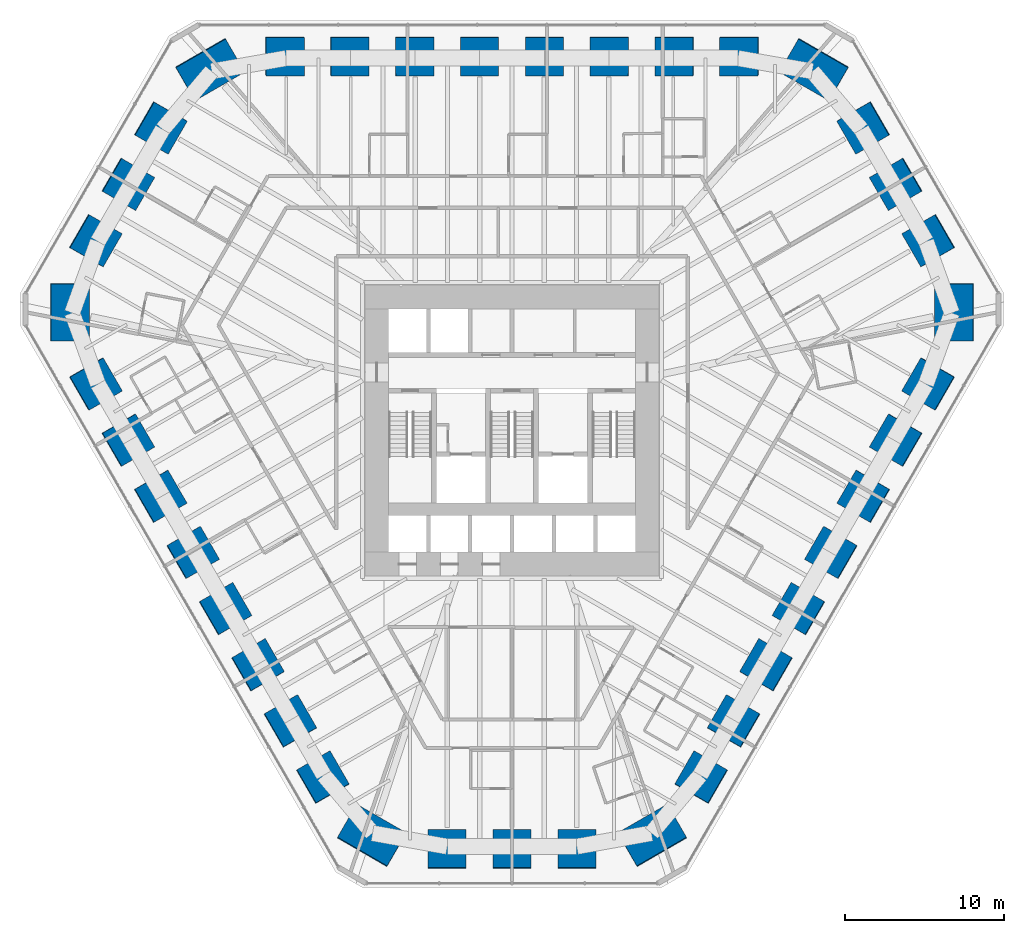
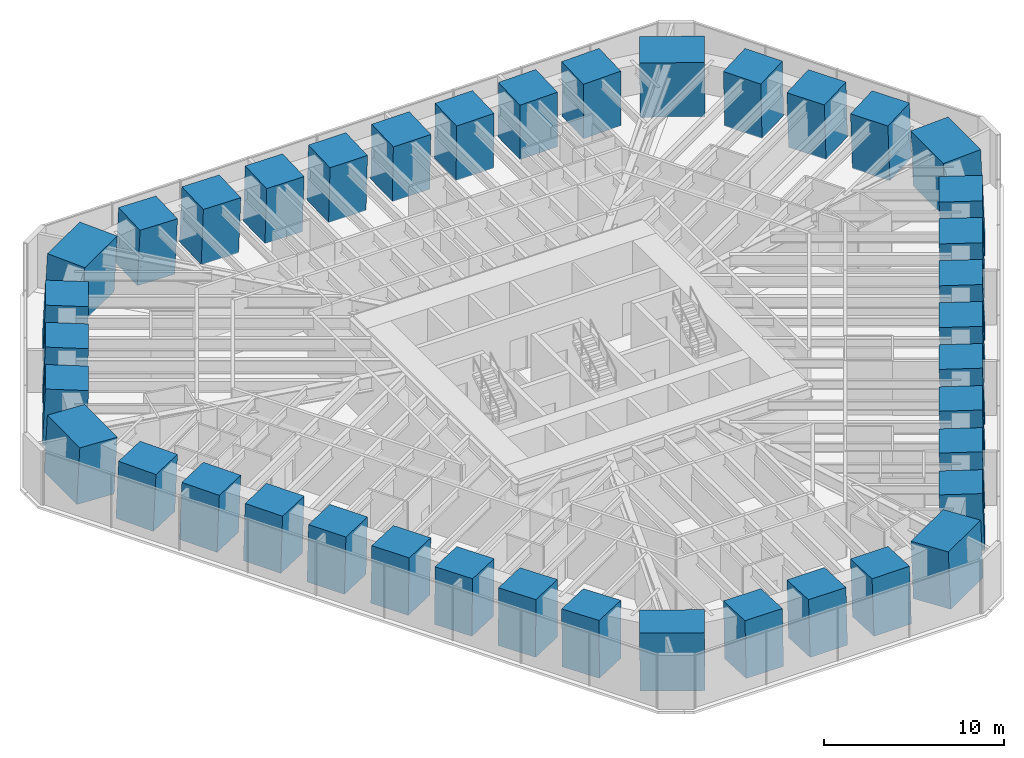
# One storey, part 1 of 17: 39 columns.
"""IFC4 building model written with IfcOpenShell, lengths in metres."""

import ifcopenshell
import ifcopenshell.guid

model = None  # the IFC model being written
_history = None  # IfcOwnerHistory: only IFC2X3 demands one
_inside = {}  # id of a spatial element -> (the spatial element, [elements in it])
_under = {}  # id of a project, library or spatial element -> (it, [spatial elements below it])
_declared = {}  # id of a project -> (the project, [libraries it declares])
_typed = {}  # id of a type object -> (the type object, [elements of that type])
_made_of = {}  # id of a material, layer set ... -> (it, [elements and type objects made of it])


def new_model(schema):
    """Start an empty IFC model of exactly this schema.

    Asked for "IFC4X3", IfcOpenShell would pick the latest addendum, in which some entities
    have other attributes; the version numbers below select the first issue.
    IFC2X3 requires an IfcOwnerHistory on every rooted entity: one is made here for all.
    """
    global model, _history
    if schema == "IFC4X3":
        model = ifcopenshell.file(schema_version=(4, 3, 0, 0))
    else:
        model = ifcopenshell.file(schema=schema)
    _inside.clear()
    _under.clear()
    _declared.clear()
    _typed.clear()
    _made_of.clear()
    _history = None
    if model.schema == "IFC2X3":
        org = make("IfcOrganization", Name="unknown")
        user = make(
            "IfcPersonAndOrganization",
            ThePerson=make("IfcPerson", FamilyName="unknown"),
            TheOrganization=org,
        )
        app = make(
            "IfcApplication",
            ApplicationDeveloper=org,
            Version="unknown",
            ApplicationFullName="unknown",
            ApplicationIdentifier="unknown",
        )
        _history = make(
            "IfcOwnerHistory",
            OwningUser=user,
            OwningApplication=app,
            ChangeAction="ADDED",
            CreationDate=0,
        )
    return model


def make(cls, **values):
    """One entity of the class cls with the attributes given. An attribute that is None is left unset."""
    return model.create_entity(
        cls, **{name: value for name, value in values.items() if value is not None}
    )


def rooted(cls, **values):
    """An entity with a GlobalId (a new one), such as an element, a storey or a relation."""
    return make(cls, GlobalId=ifcopenshell.guid.new(), OwnerHistory=_history, **values)


def si_unit(unit_type, name, prefix=None):
    """IfcSIUnit, for example si_unit("LENGTHUNIT", "METRE", prefix="MILLI")."""
    return make("IfcSIUnit", UnitType=unit_type, Prefix=prefix, Name=name)


def assignment(units):
    """IfcUnitAssignment: the units of a project."""
    return None if units is None else make("IfcUnitAssignment", Units=units)


def point(xyz):
    """IfcCartesianPoint."""
    return None if xyz is None else make("IfcCartesianPoint", Coordinates=xyz)


def direction(xyz):
    """IfcDirection."""
    return None if xyz is None else make("IfcDirection", DirectionRatios=xyz)


def frame(location, z_axis=None, x_axis=None):
    """IfcAxis2Placement3D, a coordinate frame: its origin and axes. An axis left out is left unset."""
    return make(
        "IfcAxis2Placement3D",
        Location=point(location),
        Axis=direction(z_axis),
        RefDirection=direction(x_axis),
    )


def frame_2d(location, x_axis=None):
    """IfcAxis2Placement2D, a coordinate frame in the plane: its origin and x axis."""
    return make(
        "IfcAxis2Placement2D", Location=point(location), RefDirection=direction(x_axis)
    )


def origin():
    """The frame at (0, 0, 0) with its axes left unset."""
    return frame((0.0, 0.0, 0.0))


def origin_2d():
    """The frame at (0, 0) in the plane with its x axis left unset."""
    return frame_2d((0.0, 0.0))


def place(relative_to, where):
    """IfcLocalPlacement: puts the frame where relative to a parent placement (None: the world)."""
    return make(
        "IfcLocalPlacement", PlacementRelTo=relative_to, RelativePlacement=where
    )


def context(
    kind, dimensions, precision=None, world=None, true_north=None, identifier=None
):
    """IfcGeometricRepresentationContext, for example the 3D "Model" context."""
    return make(
        "IfcGeometricRepresentationContext",
        ContextIdentifier=identifier,
        ContextType=kind,
        CoordinateSpaceDimension=dimensions,
        Precision=precision,
        WorldCoordinateSystem=world,
        TrueNorth=true_north,
    )


def subcontext(parent, identifier, kind, view, scale=None):
    """IfcGeometricRepresentationSubContext, for example "Body" below "Model"."""
    return make(
        "IfcGeometricRepresentationSubContext",
        ContextIdentifier=identifier,
        ContextType=kind,
        ParentContext=parent,
        TargetScale=scale,
        TargetView=view,
    )


def project(units=None, contexts=None):
    """IfcProject with its units and contexts."""
    return rooted(
        "IfcProject",
        Name="project",
        RepresentationContexts=contexts,
        UnitsInContext=assignment(units),
    )


def spatial(cls, under=None, at=None, **own):
    """A site, building, storey or space (cls), placed at a placement, below another one or the project."""
    s = rooted(cls, ObjectPlacement=at, **own)
    if under is not None:
        _under.setdefault(under.id(), (under, []))[1].append(s)
    return s


def profile(cls, at=None, kind="AREA", **sizes):
    """A parametric profile (cls). Its sizes go by their IFC names, for example OverallWidth=200.0."""
    return make(cls, ProfileType=kind, Position=at, **sizes)


def rectangle(**sizes):
    """IfcRectangleProfileDef."""
    return profile("IfcRectangleProfileDef", **sizes)


def extrude(swept, where, along, depth):
    """IfcExtrudedAreaSolid: the profile swept, set in the frame where, extruded along a direction by depth."""
    return make(
        "IfcExtrudedAreaSolid",
        SweptArea=swept,
        Position=where,
        ExtrudedDirection=direction(along),
        Depth=depth,
    )


def shape(context_of_items, identifier, shape_type, items):
    """IfcShapeRepresentation: the items that make up one representation, for example the "Body"."""
    return make(
        "IfcShapeRepresentation",
        ContextOfItems=context_of_items,
        RepresentationIdentifier=identifier,
        RepresentationType=shape_type,
        Items=items,
    )


def material(Name=None, Category=None):
    """IfcMaterial."""
    return make("IfcMaterial", Name=Name, Category=Category)


def material_profile(
    of_material, cross_section, Name=None, Category=None, Priority=None
):
    """IfcMaterialProfile: a cross section and its material."""
    return make(
        "IfcMaterialProfile",
        Name=Name,
        Material=of_material,
        Profile=cross_section,
        Priority=Priority,
        Category=Category,
    )


def profile_set(profiles, Name=None, composite=None):
    """IfcMaterialProfileSet."""
    return make(
        "IfcMaterialProfileSet",
        Name=Name,
        MaterialProfiles=profiles,
        CompositeProfile=composite,
    )


def made_of(thing, what):
    """Note that an element or type object is made of a material, layer set ...; save() writes the relation."""
    if what is not None:
        _made_of.setdefault(what.id(), (what, []))[1].append(thing)
    return thing


def type_object(cls, material=None, **own):
    """A type object (cls), such as IfcWallType, which elements share."""
    return made_of(rooted(cls, **own), material)


def element(
    cls,
    number,
    at=None,
    inside=None,
    cuts=None,
    type_object=None,
    material=None,
    context=None,
    identifier="Body",
    shape_type=None,
    held_by="IfcProductDefinitionShape",
    body=None,
    shapes=None,
    **own,
):
    """One element of the class cls, such as IfcWall. Its Tag is "e" and its number.

    at: its placement. inside: the storey or other place that contains it. cuts: it is an
    opening in that element (IfcRelVoidsElement). A single representation is given by context,
    identifier, shape_type and body (its items); several are given by shapes. held_by: the class
    of the entity that holds the representations. save() writes the other relations.
    """
    e = rooted(cls, Tag="e%d" % number, ObjectPlacement=at, **own)
    if body is not None:
        shapes = [shape(context, identifier, shape_type, body)]
    if shapes is not None:
        e.Representation = make(held_by, Representations=shapes)
    if inside is not None:
        _inside.setdefault(inside.id(), (inside, []))[1].append(e)
    if cuts is not None:
        rooted(
            "IfcRelVoidsElement", RelatingBuildingElement=cuts, RelatedOpeningElement=e
        )
    if type_object is not None:
        _typed.setdefault(type_object.id(), (type_object, []))[1].append(e)
    return made_of(e, material)


def aggregate(whole, parts):
    """IfcRelAggregates: a whole, such as a stair, and the parts it consists of."""
    return rooted("IfcRelAggregates", RelatingObject=whole, RelatedObjects=parts)


def save(model, path):
    """Write the relations noted so far, then the file.

    IfcRelAggregates (storeys below a building ...), IfcRelContainedInSpatialStructure (elements
    in a storey), IfcRelDefinesByType, IfcRelAssociatesMaterial and IfcRelDeclares: one each for
    every whole, place, type object, material and project.
    """
    for whole, parts in _under.values():
        aggregate(whole, parts)
    for where, things in _inside.values():
        rooted(
            "IfcRelContainedInSpatialStructure",
            RelatedElements=things,
            RelatingStructure=where,
        )
    for kind, things in _typed.values():
        rooted("IfcRelDefinesByType", RelatedObjects=things, RelatingType=kind)
    for what, things in _made_of.values():
        rooted("IfcRelAssociatesMaterial", RelatedObjects=things, RelatingMaterial=what)
    for by, libraries in _declared.values():
        rooted("IfcRelDeclares", RelatingContext=by, RelatedDefinitions=libraries)
    model.write(path)


model = new_model("IFC4")

# Units and contexts
model_context = context("Model", 3, precision=1e-05, world=origin(), true_north=direction((0.0, 1.0)))
body_context = subcontext(model_context, "Body", "Model", "MODEL_VIEW")
ifc_project = project(units=[si_unit("LENGTHUNIT", "METRE"), si_unit("AREAUNIT", "SQUARE_METRE"), si_unit("VOLUMEUNIT", "CUBIC_METRE"), si_unit("PLANEANGLEUNIT", "RADIAN"), si_unit("MASSUNIT", "GRAM", prefix="KILO")], contexts=[model_context])

# Site, building, storey
site_placement = place(None, origin())
site = spatial("IfcSite", under=ifc_project, at=site_placement, CompositionType="ELEMENT")
building_placement = place(site_placement, origin())
building = spatial("IfcBuilding", under=site, at=building_placement, Name="Sandreach Pilgrim Tower", CompositionType="ELEMENT")
storey_placement = place(building_placement, frame((0.0, 0.0, 76.199951171875)))
storey = spatial("IfcBuildingStorey", under=building, at=storey_placement, Name="L18", CompositionType="ELEMENT", Elevation=76.199951171875)

# Columns
ifc_material_1 = material(Name="Concrete 10000 psi", Category="concrete")
ifc_material_profile_1 = material_profile(ifc_material_1, rectangle(XDim=2.39990234375, YDim=2.39990234375, at=origin_2d()), Name="RC2400X2400")
ifc_profile_set_1 = profile_set([ifc_material_profile_1], Name="Concrete 10000 psi")
column_type_1 = type_object("IfcColumnType", Name="Raked tube column RC2400X2400", PredefinedType="COLUMN", material=ifc_profile_set_1)
column_1_placement = place(storey_placement, frame((-14.279541015625, 21.988037109375, 0.0), z_axis=(0.0238126955, -0.036713913278, 0.999042063231), x_axis=(0.001457588232, 0.999325647249, 0.036689592354)))
element("IfcColumn", 1, at=column_1_placement, inside=storey, type_object=column_type_1, Name="COL L18 T01", PredefinedType="COLUMN", context=body_context, shape_type="SweptSolid", body=[
    extrude(rectangle(XDim=2.39990234375, YDim=2.39990234375, at=origin_2d()), origin(), (0.0, 0.0, 1.0), 3.8037109375),
])
column_2_placement = place(storey_placement, frame((-10.199951171875, 21.98828125, 0.0), z_axis=(0.017075606118, -0.036718972555, 0.999179733947), x_axis=(-0.000324961522, 0.999325177797, 0.036729870958)))
element("IfcColumn", 2, at=column_2_placement, inside=storey, type_object=column_type_1, Name="COL L18 T02", PredefinedType="COLUMN", context=body_context, shape_type="SweptSolid", body=[
    extrude(rectangle(XDim=2.39990234375, YDim=2.39990234375, at=origin_2d()), origin(), (0.0, 0.0, 1.0), 3.80322265625),
])
for number, where, z_axis, x_axis, name in (
    (3, (-6.1201171875, 21.988525390625, 0.0), (0.010271997036, -0.036722389402, 0.999272711623), (-0.000916265128, 0.999324669192, 0.03673371752), "COL L18 T03"),
    (4, (-2.0400390625, 21.98876953125, 0.0), (0.003402766859, -0.03665999767, 0.999322003034), (8.1369393e-05, 0.999327795413, 0.036659933094), "COL L18 T04"),
    (5, (2.0400390625, 21.98876953125, 0.0), (-0.003402766859, -0.03665999767, 0.999322003034), (-8.1369393e-05, 0.999327795413, 0.036659933094), "COL L18 T05"),
    (6, (6.1201171875, 21.988525390625, 0.0), (-0.010271997036, -0.036722389402, 0.999272711623), (0.000916265128, 0.999324669192, 0.03673371752), "COL L18 T06"),
):
    element("IfcColumn", number, at=place(storey_placement, frame(where, z_axis=z_axis, x_axis=x_axis)), inside=storey, type_object=column_type_1, Name=name, PredefinedType="COLUMN", context=body_context, shape_type="SweptSolid", body=[
        extrude(rectangle(XDim=2.39990234375, YDim=2.39990234375, at=origin_2d()), origin(), (0.0, 0.0, 1.0), 3.802734375),
    ])
column_3_placement = place(storey_placement, frame((10.199951171875, 21.98828125, 0.0), z_axis=(-0.017075606118, -0.036718972555, 0.999179733947), x_axis=(0.000324961522, 0.999325177797, 0.036729870958)))
element("IfcColumn", 7, at=column_3_placement, inside=storey, type_object=column_type_1, Name="COL L18 T07", PredefinedType="COLUMN", context=body_context, shape_type="SweptSolid", body=[
    extrude(rectangle(XDim=2.39990234375, YDim=2.39990234375, at=origin_2d()), origin(), (0.0, 0.0, 1.0), 3.80322265625),
])
column_4_placement = place(storey_placement, frame((14.279541015625, 21.988037109375, 0.0), z_axis=(-0.0238126955, -0.036713913278, 0.999042063231), x_axis=(-0.001457588232, 0.999325647249, 0.036689592354)))
element("IfcColumn", 8, at=column_4_placement, inside=storey, type_object=column_type_1, Name="COL L18 T08", PredefinedType="COLUMN", context=body_context, shape_type="SweptSolid", body=[
    extrude(rectangle(XDim=2.39990234375, YDim=2.39990234375, at=origin_2d()), origin(), (0.0, 0.0, 1.0), 3.8037109375),
])
column_5_placement = place(storey_placement, frame((22.093994140625, 17.48291015625, 0.0), z_axis=(-0.036388687648, -0.028751555672, 0.99892402687), x_axis=(0.865629949428, 0.498577482043, 0.04588338537)))
element("IfcColumn", 9, at=column_5_placement, inside=storey, type_object=column_type_1, Name="COL L18 T10", PredefinedType="COLUMN", context=body_context, shape_type="SweptSolid", body=[
    extrude(rectangle(XDim=2.39990234375, YDim=2.39990234375, at=origin_2d()), origin(), (0.0, 0.0, 1.0), 3.80419921875),
])
column_6_placement = place(storey_placement, frame((24.14111328125, 13.93798828125, 0.0), z_axis=(-0.039726810938, -0.022976087748, 0.99894638489), x_axis=(0.864737544121, 0.500122844581, 0.045892484303)))
element("IfcColumn", 10, at=column_6_placement, inside=storey, type_object=column_type_1, Name="COL L18 T11", PredefinedType="COLUMN", context=body_context, shape_type="SweptSolid", body=[
    extrude(rectangle(XDim=2.39990234375, YDim=2.39990234375, at=origin_2d()), origin(), (0.0, 0.0, 1.0), 3.803955078125),
])
column_7_placement = place(storey_placement, frame((26.187744140625, 10.392333984375, 0.0), z_axis=(-0.043127320452, -0.017071231012, 0.998923724467), x_axis=(0.865394297081, 0.498985805563, 0.045889829227)))
element("IfcColumn", 11, at=column_7_placement, inside=storey, type_object=column_type_1, Name="COL L18 T12", PredefinedType="COLUMN", context=body_context, shape_type="SweptSolid", body=[
    extrude(rectangle(XDim=2.39990234375, YDim=2.39990234375, at=origin_2d()), origin(), (0.0, 0.0, 1.0), 3.80419921875),
])
column_8_placement = place(storey_placement, frame((26.181884765625, 1.37255859375, 0.0), z_axis=(-0.043710075164, -0.002310664766, 0.9990415858), x_axis=(0.865223526362, -0.500041450944, 0.036698729792)))
element("IfcColumn", 12, at=column_8_placement, inside=storey, type_object=column_type_1, Name="COL L18 T14", PredefinedType="COLUMN", context=body_context, shape_type="SweptSolid", body=[
    extrude(rectangle(XDim=2.39990234375, YDim=2.39990234375, at=origin_2d()), origin(), (0.0, 0.0, 1.0), 3.8037109375),
])
column_9_placement = place(storey_placement, frame((24.142333984375, -2.160888671875, 0.0), z_axis=(-0.040313862502, 0.003659060768, 0.999180365982), x_axis=(0.864501325831, -0.501287754978, 0.036715723396)))
element("IfcColumn", 13, at=column_9_placement, inside=storey, type_object=column_type_1, Name="COL L18 T15", PredefinedType="COLUMN", context=body_context, shape_type="SweptSolid", body=[
    extrude(rectangle(XDim=2.39990234375, YDim=2.39990234375, at=origin_2d()), origin(), (0.0, 0.0, 1.0), 3.80322265625),
])
for number, where, z_axis, x_axis, name in (
    (14, (22.102783203125, -5.694091796875, 0.0), (-0.036915008746, 0.009501602251, 0.99927323675), (0.865363128074, -0.499798223787, 0.036720458449), "COL L18 T16"),
    (15, (20.06298828125, -9.227783203125, 0.0), (-0.033513958168, 0.015408716399, 0.999319461467), (0.865447927191, -0.499650776395, 0.03672855794), "COL L18 T17"),
    (16, (18.02294921875, -12.76123046875, 0.0), (-0.030111193695, 0.021315386582, 0.999319253447), (0.865557695046, -0.499460185975, 0.036734169015), "COL L18 T18"),
    (17, (15.982666015625, -16.29443359375, 0.0), (-0.026707189651, 0.027220789452, 0.999272612775), (0.865695316087, -0.499221464256, 0.036736212807), "COL L18 T19"),
):
    element("IfcColumn", number, at=place(storey_placement, frame(where, z_axis=z_axis, x_axis=x_axis)), inside=storey, type_object=column_type_1, Name=name, PredefinedType="COLUMN", context=body_context, shape_type="SweptSolid", body=[
        extrude(rectangle(XDim=2.39990234375, YDim=2.39990234375, at=origin_2d()), origin(), (0.0, 0.0, 1.0), 3.802734375),
    ])
column_10_placement = place(storey_placement, frame((13.9423828125, -19.827392578125, 0.0), z_axis=(-0.023238310892, 0.033060027926, 0.999183174128), x_axis=(0.865663476908, -0.499282802675, 0.036652799359)))
element("IfcColumn", 18, at=column_10_placement, inside=storey, type_object=column_type_1, Name="COL L18 T20", PredefinedType="COLUMN", context=body_context, shape_type="SweptSolid", body=[
    extrude(rectangle(XDim=2.39990234375, YDim=2.39990234375, at=origin_2d()), origin(), (0.0, 0.0, 1.0), 3.80322265625),
])
column_11_placement = place(storey_placement, frame((11.90234375, -23.360595703125, 0.0), z_axis=(-0.019897362067, 0.039024503667, 0.999040130874), x_axis=(0.866022381672, -0.498654584, 0.03672656122)))
element("IfcColumn", 19, at=column_11_placement, inside=storey, type_object=column_type_1, Name="COL L18 T21", PredefinedType="COLUMN", context=body_context, shape_type="SweptSolid", body=[
    extrude(rectangle(XDim=2.39990234375, YDim=2.39990234375, at=origin_2d()), origin(), (0.0, 0.0, 1.0), 3.8037109375),
])
column_12_placement = place(storey_placement, frame((4.09375, -27.87548828125, 0.0), z_axis=(-0.00673864507, 0.045886964046, 0.998923909611), x_axis=(-0.00031485931, -0.998946638466, 0.045885884117)))
element("IfcColumn", 20, at=column_12_placement, inside=storey, type_object=column_type_1, Name="COL L18 T23", PredefinedType="COLUMN", context=body_context, shape_type="SweptSolid", body=[
    extrude(rectangle(XDim=2.39990234375, YDim=2.39990234375, at=origin_2d()), origin(), (0.0, 0.0, 1.0), 3.80419921875),
])
column_13_placement = place(storey_placement, frame((0.0, -27.875732421875, 0.0), z_axis=(0.0, 0.04588800593, 0.99894659062), x_axis=(0.0, -0.99894659062, 0.04588800593)))
element("IfcColumn", 21, at=column_13_placement, inside=storey, type_object=column_type_1, Name="COL L18 T24", PredefinedType="COLUMN", context=body_context, shape_type="SweptSolid", body=[
    extrude(rectangle(XDim=2.39990234375, YDim=2.39990234375, at=origin_2d()), origin(), (0.0, 0.0, 1.0), 3.803955078125),
])
column_14_placement = place(storey_placement, frame((-4.09375, -27.87548828125, 0.0), z_axis=(0.00673864507, 0.045886964046, 0.998923909611), x_axis=(0.00031485931, -0.998946638466, 0.045885884117)))
element("IfcColumn", 22, at=column_14_placement, inside=storey, type_object=column_type_1, Name="COL L18 T25", PredefinedType="COLUMN", context=body_context, shape_type="SweptSolid", body=[
    extrude(rectangle(XDim=2.39990234375, YDim=2.39990234375, at=origin_2d()), origin(), (0.0, 0.0, 1.0), 3.80419921875),
])
column_15_placement = place(storey_placement, frame((-11.90234375, -23.360595703125, 0.0), z_axis=(0.019897362067, 0.039024503667, 0.999040130874), x_axis=(-0.866022381672, -0.498654584, 0.03672656122)))
element("IfcColumn", 23, at=column_15_placement, inside=storey, type_object=column_type_1, Name="COL L18 T27", PredefinedType="COLUMN", context=body_context, shape_type="SweptSolid", body=[
    extrude(rectangle(XDim=2.39990234375, YDim=2.39990234375, at=origin_2d()), origin(), (0.0, 0.0, 1.0), 3.8037109375),
])
column_16_placement = place(storey_placement, frame((-13.9423828125, -19.827392578125, 0.0), z_axis=(0.023238310892, 0.033060027926, 0.999183174128), x_axis=(-0.865663476908, -0.499282802675, 0.036652799359)))
element("IfcColumn", 24, at=column_16_placement, inside=storey, type_object=column_type_1, Name="COL L18 T28", PredefinedType="COLUMN", context=body_context, shape_type="SweptSolid", body=[
    extrude(rectangle(XDim=2.39990234375, YDim=2.39990234375, at=origin_2d()), origin(), (0.0, 0.0, 1.0), 3.80322265625),
])
for number, where, z_axis, x_axis, name in (
    (25, (-15.982666015625, -16.29443359375, 0.0), (0.026707189651, 0.027220789452, 0.999272612775), (-0.865695316087, -0.499221464256, 0.036736212807), "COL L18 T29"),
    (26, (-18.02294921875, -12.76123046875, 0.0), (0.030111193695, 0.021315386582, 0.999319253447), (-0.865557695046, -0.499460185975, 0.036734169015), "COL L18 T30"),
    (27, (-20.06298828125, -9.227783203125, 0.0), (0.033513958168, 0.015408716399, 0.999319461467), (-0.865447927191, -0.499650776395, 0.03672855794), "COL L18 T31"),
    (28, (-22.102783203125, -5.694091796875, 0.0), (0.036915008746, 0.009501602251, 0.99927323675), (-0.865363128074, -0.499798223787, 0.036720458449), "COL L18 T32"),
):
    element("IfcColumn", number, at=place(storey_placement, frame(where, z_axis=z_axis, x_axis=x_axis)), inside=storey, type_object=column_type_1, Name=name, PredefinedType="COLUMN", context=body_context, shape_type="SweptSolid", body=[
        extrude(rectangle(XDim=2.39990234375, YDim=2.39990234375, at=origin_2d()), origin(), (0.0, 0.0, 1.0), 3.802734375),
    ])
column_17_placement = place(storey_placement, frame((-24.142333984375, -2.160888671875, 0.0), z_axis=(0.040313862502, 0.003659060768, 0.999180365982), x_axis=(-0.864501325831, -0.501287754978, 0.036715723396)))
element("IfcColumn", 29, at=column_17_placement, inside=storey, type_object=column_type_1, Name="COL L18 T33", PredefinedType="COLUMN", context=body_context, shape_type="SweptSolid", body=[
    extrude(rectangle(XDim=2.39990234375, YDim=2.39990234375, at=origin_2d()), origin(), (0.0, 0.0, 1.0), 3.80322265625),
])
column_18_placement = place(storey_placement, frame((-26.181884765625, 1.37255859375, 0.0), z_axis=(0.043710075164, -0.002310664766, 0.9990415858), x_axis=(-0.865223526362, -0.500041450944, 0.036698729792)))
element("IfcColumn", 30, at=column_18_placement, inside=storey, type_object=column_type_1, Name="COL L18 T34", PredefinedType="COLUMN", context=body_context, shape_type="SweptSolid", body=[
    extrude(rectangle(XDim=2.39990234375, YDim=2.39990234375, at=origin_2d()), origin(), (0.0, 0.0, 1.0), 3.8037109375),
])
column_19_placement = place(storey_placement, frame((-26.187744140625, 10.392333984375, 0.0), z_axis=(0.043127320452, -0.017071231012, 0.998923724467), x_axis=(-0.865394297081, 0.498985805563, 0.045889829227)))
element("IfcColumn", 31, at=column_19_placement, inside=storey, type_object=column_type_1, Name="COL L18 T36", PredefinedType="COLUMN", context=body_context, shape_type="SweptSolid", body=[
    extrude(rectangle(XDim=2.39990234375, YDim=2.39990234375, at=origin_2d()), origin(), (0.0, 0.0, 1.0), 3.80419921875),
])
column_20_placement = place(storey_placement, frame((-24.14111328125, 13.93798828125, 0.0), z_axis=(0.039726810938, -0.022976087748, 0.99894638489), x_axis=(-0.864737544121, 0.500122844581, 0.045892484303)))
element("IfcColumn", 32, at=column_20_placement, inside=storey, type_object=column_type_1, Name="COL L18 T37", PredefinedType="COLUMN", context=body_context, shape_type="SweptSolid", body=[
    extrude(rectangle(XDim=2.39990234375, YDim=2.39990234375, at=origin_2d()), origin(), (0.0, 0.0, 1.0), 3.803955078125),
])
column_21_placement = place(storey_placement, frame((-22.093994140625, 17.48291015625, 0.0), z_axis=(0.036388687648, -0.028751555672, 0.99892402687), x_axis=(-0.865629949428, 0.498577482043, 0.04588338537)))
element("IfcColumn", 33, at=column_21_placement, inside=storey, type_object=column_type_1, Name="COL L18 T38", PredefinedType="COLUMN", context=body_context, shape_type="SweptSolid", body=[
    extrude(rectangle(XDim=2.39990234375, YDim=2.39990234375, at=origin_2d()), origin(), (0.0, 0.0, 1.0), 3.80419921875),
])
ifc_material_2 = material(Name="Concrete 10000 psi", Category="concrete")
ifc_material_profile_2 = material_profile(ifc_material_2, rectangle(XDim=2.39990234375, YDim=3.60009765625, at=origin_2d()), Name="RC2400X3600")
ifc_profile_set_2 = profile_set([ifc_material_profile_2], Name="Concrete 10000 psi")
column_type_2 = type_object("IfcColumnType", Name="Raked tube corner pier RC2400X3600", PredefinedType="COLUMN", material=ifc_profile_set_2)
for number, where, z_axis, x_axis, name in (
    (34, (18.99609375, 21.1552734375, 0.0), (-0.031958207844, -0.035616075007, 0.998854427909), (0.498742821138, 0.865484661248, 0.046817726432), "COL L18 T09"),
    (35, (27.819091796875, 5.87353515625, 0.0), (-0.046846312306, -0.009882646706, 0.998853220607), (0.998902095057, -0.000629521583, 0.04684237604), "COL L18 T13"),
    (36, (8.822998046875, -27.02880859375, 0.0), (-0.014888146492, 0.045498689063, 0.998853448904), (0.500473089546, -0.864484190145, 0.046837715875), "COL L18 T22"),
    (37, (-8.822998046875, -27.02880859375, 0.0), (0.014888146492, 0.045498689063, 0.998853448904), (-0.500473089546, -0.864484190145, 0.046837715875), "COL L18 T26"),
    (38, (-27.819091796875, 5.87353515625, 0.0), (0.046846312306, -0.009882646706, 0.998853220607), (-0.998902095057, -0.000629521583, 0.04684237604), "COL L18 T35"),
    (39, (-18.99609375, 21.1552734375, 0.0), (0.031958207844, -0.035616075007, 0.998854427909), (-0.498742821138, 0.865484661248, 0.046817726432), "COL L18 T39"),
):
    element("IfcColumn", number, at=place(storey_placement, frame(where, z_axis=z_axis, x_axis=x_axis)), inside=storey, type_object=column_type_2, Name=name, PredefinedType="COLUMN", context=body_context, shape_type="SweptSolid", body=[
        extrude(rectangle(XDim=2.39990234375, YDim=3.60009765625, at=origin_2d()), origin(), (0.0, 0.0, 1.0), 3.804443359375),
    ])

save(model, "model.ifc")
